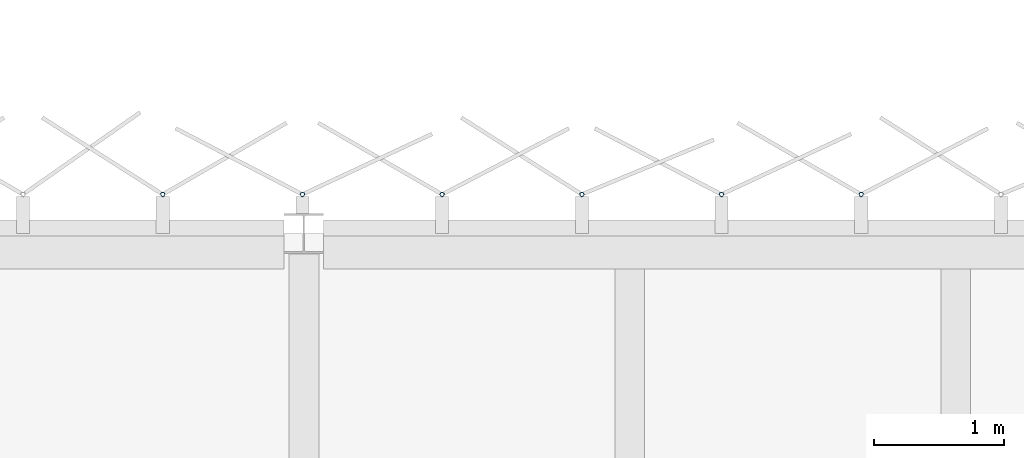
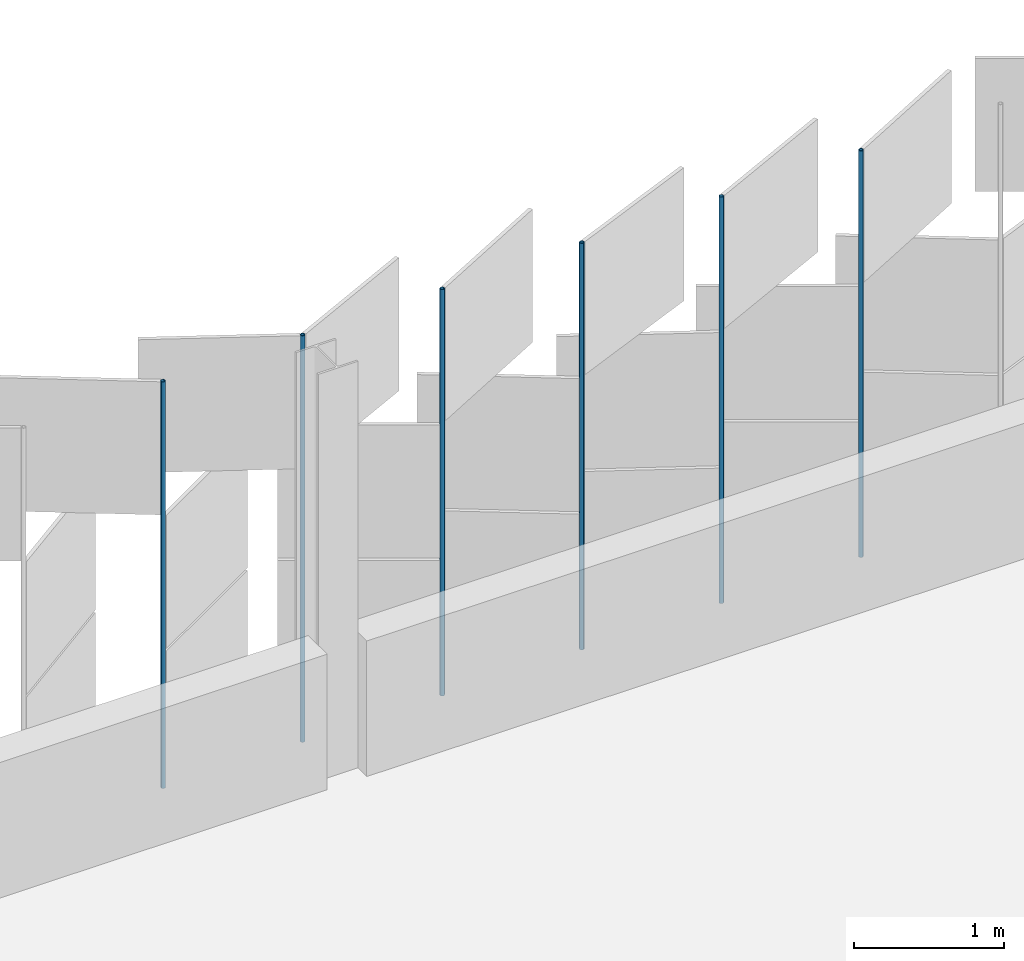
# One storey, part 140 of 198: 6 discrete accessories.
"""IFC4 building model written with IfcOpenShell, lengths in metres."""

from ifc_helpers import new_model, si_unit, direction, frame, origin, origin_2d, place, context, subcontext, project, spatial, hollow_circle, extrude, material, material_profile, profile_set, type_object, element, save


model = new_model("IFC4")

# Units and contexts
model_context = context("Model", 3, precision=1e-05, world=origin(), true_north=direction((0.0, 1.0)))
body_context = subcontext(model_context, "Body", "Model", "MODEL_VIEW")
ifc_project = project(units=[si_unit("LENGTHUNIT", "METRE"), si_unit("AREAUNIT", "SQUARE_METRE"), si_unit("VOLUMEUNIT", "CUBIC_METRE"), si_unit("PLANEANGLEUNIT", "RADIAN"), si_unit("MASSUNIT", "GRAM", prefix="KILO")], contexts=[model_context])

# Site, building, storey
site_placement = place(None, origin())
site = spatial("IfcSite", under=ifc_project, at=site_placement, CompositionType="ELEMENT")
building_placement = place(site_placement, origin())
building = spatial("IfcBuilding", under=site, at=building_placement, Name="Parallax Yard Mobility Hub", CompositionType="ELEMENT")
storey_placement = place(building_placement, frame((0.0, 0.0, 6.60009765625)))
storey = spatial("IfcBuildingStorey", under=building, at=storey_placement, Name="L02", CompositionType="ELEMENT", Elevation=6.60009765625)

# Discrete accessories
ifc_material = material(Name="Steel ASTM A500 Gr C, hot-dip galvanised", Category="steel")
ifc_material_profile = material_profile(ifc_material, hollow_circle(Radius=0.016845703125, WallThickness=0.003173828125, at=origin_2d()), Name="CHS 33.7x3.2")
ifc_profile_set = profile_set([ifc_material_profile], Name="Steel ASTM A500 Gr C, hot-dip galvanised")
discrete_accessory_type = type_object("IfcDiscreteAccessoryType", Name="Hinge post CHS 33.7x3.2", PredefinedType="BRACKET", material=ifc_profile_set)
for number, where, z_axis, x_axis, name in (
    (1, (71.775634765625, 142.800048828125, 0.0), (0.0, 0.0, 1.0), (1.0, 0.0, 0.0), "Hinge post bay 64.4 level L02"),
    (2, (70.7041015625, 142.800048828125, 0.0), (0.0, 0.0, 1.0), (1.0, 0.0, 0.0), "Hinge post bay 64.5 level L02"),
    (3, (69.632568359375, 142.800048828125, 0.0), (0.0, 0.0, 1.0), (1.0, 0.0, 0.0), "Hinge post bay 64.6 level L02"),
    (4, (68.56103515625, 142.800048828125, 0.0), (0.0, 0.0, 1.0), (1.0, 0.0, 0.0), "Hinge post bay 64.7 level L02"),
    (5, (67.489501953125, 142.800048828125, 0.0), (0.0, 0.0, 1.0), (1.0, 0.0, 0.0), "Hinge post bay 65.1 level L02"),
    (6, (66.41796875, 142.800048828125, 0.0), (0.0, 0.0, 1.0), (1.0, 0.0, 0.0), "Hinge post bay 65.2 level L02"),
):
    element("IfcDiscreteAccessory", number, at=place(storey_placement, frame(where, z_axis=z_axis, x_axis=x_axis)), inside=storey, type_object=discrete_accessory_type, Name=name, PredefinedType="BRACKET", context=body_context, shape_type="SweptSolid", body=[
        extrude(hollow_circle(Radius=0.016845703125, WallThickness=0.003173828125, at=origin_2d()), origin(), (0.0, 0.0, 1.0), 3.2998046875),
    ])

save(model, "model.ifc")
